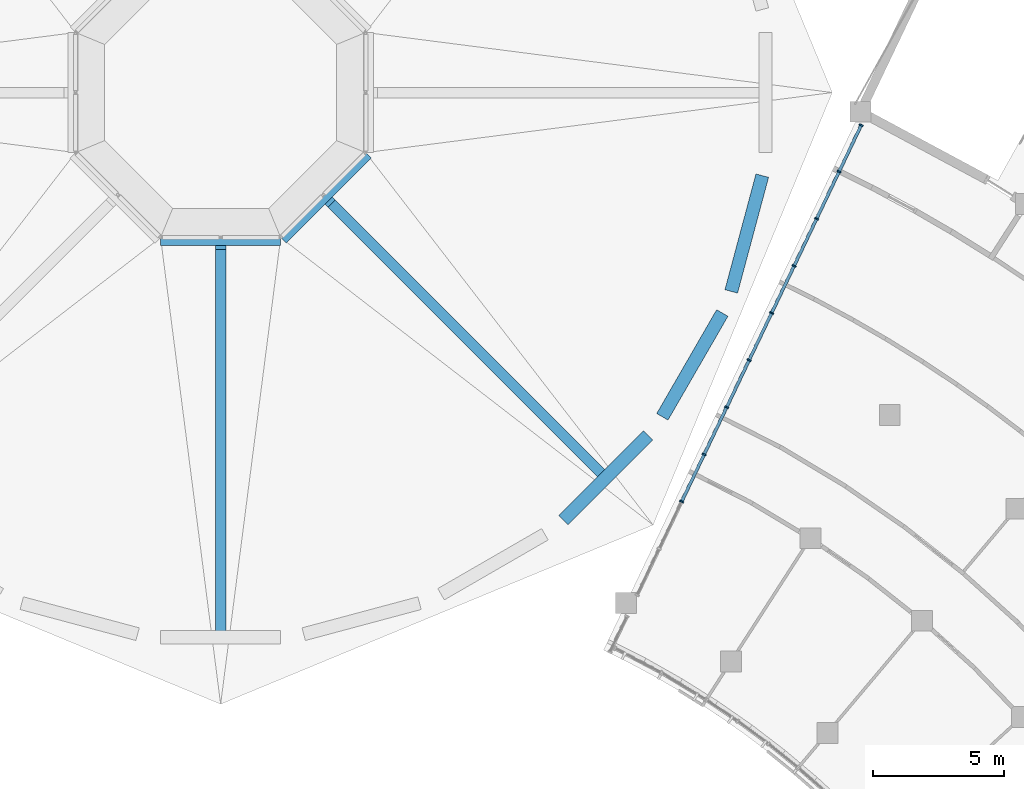
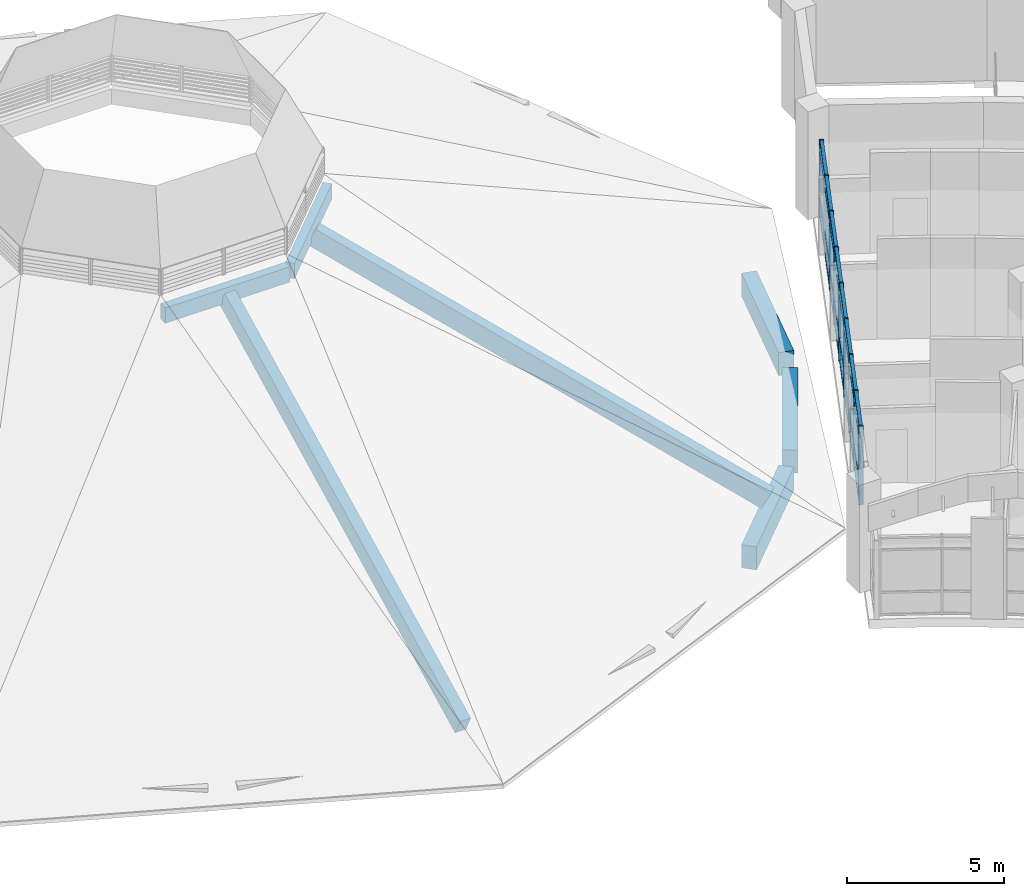
# One storey, part 11 of 137: 45 members, 3 beams, 1 element without a shape of its own.
"""IFC4 building model written with IfcOpenShell, lengths in metres."""

from ifc_helpers import new_model, si_unit, direction, frame, origin, origin_2d, place, context, subcontext, project, spatial, rectangle, extrude, material, material_profile, profile_set, type_object, element, aggregate, save


model = new_model("IFC4")

# Units and contexts
model_context = context("Model", 3, precision=1e-05, world=origin(), true_north=direction((0.0, 1.0)))
body_context = subcontext(model_context, "Body", "Model", "MODEL_VIEW")
ifc_project = project(units=[si_unit("LENGTHUNIT", "METRE"), si_unit("AREAUNIT", "SQUARE_METRE"), si_unit("VOLUMEUNIT", "CUBIC_METRE"), si_unit("PLANEANGLEUNIT", "RADIAN"), si_unit("MASSUNIT", "GRAM", prefix="KILO")], contexts=[model_context])

# Site, building, storey
site_placement = place(None, origin())
site = spatial("IfcSite", under=ifc_project, at=site_placement, CompositionType="ELEMENT")
building_placement = place(site_placement, origin())
building = spatial("IfcBuilding", under=site, at=building_placement, Name="Bougainvillea Quay General Hospital", CompositionType="ELEMENT")
storey_placement = place(building_placement, frame((0.0, 0.0, 16.800048828125)))
storey = spatial("IfcBuildingStorey", under=building, at=storey_placement, Name="L03", CompositionType="ELEMENT", Elevation=16.800048828125)

# Curtain wall, members
ifc_material_1 = material(Name="Aluminium curtain wall system, powder-coated glazed", Category="aluminium")
curtain_wall_type = type_object("IfcCurtainWallType", Name="Unitised curtain wall CW-1997", PredefinedType="NOTDEFINED", material=ifc_material_1)
curtain_wall_placement = place(storey_placement, origin())
curtain_wall = element("IfcCurtainWall", 1, at=curtain_wall_placement, inside=storey, type_object=curtain_wall_type, Name="CW-AE 02", PredefinedType="NOTDEFINED")
ifc_material_2 = material(Name="Aluminium mullion, powder-coated charcoal", Category="aluminium")
ifc_material_profile_1 = material_profile(ifc_material_2, rectangle(XDim=0.159912109375, YDim=0.06005859375, at=origin_2d()))
ifc_profile_set_1 = profile_set([ifc_material_profile_1], Name="Aluminium mullion, powder-coated charcoal")
member_type_1 = type_object("IfcMemberType", Name="Curtain wall mullion 160x60", PredefinedType="MULLION", material=ifc_profile_set_1)
member_1_placement = place(storey_placement, frame((133.68505859375, 72.753173828125, 0.0), z_axis=(0.0, 0.0, 1.0), x_axis=(0.902578440897, -0.430525444112, 0.0)))
member_1 = element("IfcMember", 2, at=member_1_placement, type_object=member_type_1, Name="CW-AE mullion 1", PredefinedType="MULLION", context=body_context, shape_type="SweptSolid", body=[
    extrude(rectangle(XDim=0.159912109375, YDim=0.06005859375, at=origin_2d()), origin(), (0.0, 0.0, 1.0), 3.050048828125),
])
member_2_placement = place(storey_placement, frame((132.838623046875, 70.978759765625, 0.0), z_axis=(0.0, 0.0, 1.0), x_axis=(0.902578440897, -0.430525444112, 0.0)))
member_2 = element("IfcMember", 3, at=member_2_placement, type_object=member_type_1, Name="CW-AE mullion 2", PredefinedType="MULLION", context=body_context, shape_type="SweptSolid", body=[
    extrude(rectangle(XDim=0.159912109375, YDim=0.06005859375, at=origin_2d()), origin(), (0.0, 0.0, 1.0), 3.050048828125),
])
member_3_placement = place(storey_placement, frame((131.979248046875, 69.177001953125, 0.0), z_axis=(0.0, 0.0, 1.0), x_axis=(0.902578440897, -0.430525444112, 0.0)))
member_3 = element("IfcMember", 4, at=member_3_placement, type_object=member_type_1, Name="CW-AE mullion 3", PredefinedType="MULLION", context=body_context, shape_type="SweptSolid", body=[
    extrude(rectangle(XDim=0.159912109375, YDim=0.06005859375, at=origin_2d()), origin(), (0.0, 0.0, 1.0), 3.050048828125),
])
member_4_placement = place(storey_placement, frame((131.119873046875, 67.37548828125, 0.0), z_axis=(0.0, 0.0, 1.0), x_axis=(0.902578440897, -0.430525444112, 0.0)))
member_4 = element("IfcMember", 5, at=member_4_placement, type_object=member_type_1, Name="CW-AE mullion 4", PredefinedType="MULLION", context=body_context, shape_type="SweptSolid", body=[
    extrude(rectangle(XDim=0.159912109375, YDim=0.06005859375, at=origin_2d()), origin(), (0.0, 0.0, 1.0), 3.050048828125),
])
member_5_placement = place(storey_placement, frame((130.260498046875, 65.573974609375, 0.0), z_axis=(0.0, 0.0, 1.0), x_axis=(0.902578440897, -0.430525444112, 0.0)))
member_5 = element("IfcMember", 6, at=member_5_placement, type_object=member_type_1, Name="CW-AE mullion 5", PredefinedType="MULLION", context=body_context, shape_type="SweptSolid", body=[
    extrude(rectangle(XDim=0.159912109375, YDim=0.06005859375, at=origin_2d()), origin(), (0.0, 0.0, 1.0), 3.050048828125),
])
member_6_placement = place(storey_placement, frame((129.401123046875, 63.7724609375, 0.0), z_axis=(0.0, 0.0, 1.0), x_axis=(0.902578440897, -0.430525444112, 0.0)))
member_6 = element("IfcMember", 7, at=member_6_placement, type_object=member_type_1, Name="CW-AE mullion 6", PredefinedType="MULLION", context=body_context, shape_type="SweptSolid", body=[
    extrude(rectangle(XDim=0.159912109375, YDim=0.06005859375, at=origin_2d()), origin(), (0.0, 0.0, 1.0), 3.050048828125),
])
member_7_placement = place(storey_placement, frame((128.541748046875, 61.970703125, 0.0), z_axis=(0.0, 0.0, 1.0), x_axis=(0.902578440897, -0.430525444112, 0.0)))
member_7 = element("IfcMember", 8, at=member_7_placement, type_object=member_type_1, Name="CW-AE mullion 7", PredefinedType="MULLION", context=body_context, shape_type="SweptSolid", body=[
    extrude(rectangle(XDim=0.159912109375, YDim=0.06005859375, at=origin_2d()), origin(), (0.0, 0.0, 1.0), 3.050048828125),
])
member_8_placement = place(storey_placement, frame((127.682373046875, 60.169189453125, 0.0), z_axis=(0.0, 0.0, 1.0), x_axis=(0.902578440897, -0.430525444112, 0.0)))
member_8 = element("IfcMember", 9, at=member_8_placement, type_object=member_type_1, Name="CW-AE mullion 8", PredefinedType="MULLION", context=body_context, shape_type="SweptSolid", body=[
    extrude(rectangle(XDim=0.159912109375, YDim=0.06005859375, at=origin_2d()), origin(), (0.0, 0.0, 1.0), 3.050048828125),
])
member_9_placement = place(storey_placement, frame((126.8232421875, 58.36767578125, 0.0), z_axis=(0.0, 0.0, 1.0), x_axis=(0.902578440897, -0.430525444112, 0.0)))
member_9 = element("IfcMember", 10, at=member_9_placement, type_object=member_type_1, Name="CW-AE mullion 9", PredefinedType="MULLION", context=body_context, shape_type="SweptSolid", body=[
    extrude(rectangle(XDim=0.159912109375, YDim=0.06005859375, at=origin_2d()), origin(), (0.0, 0.0, 1.0), 3.050048828125),
])
ifc_material_3 = material(Name="Aluminium transom, powder-coated charcoal", Category="aluminium")
ifc_material_profile_2 = material_profile(ifc_material_3, rectangle(XDim=0.1201171875, YDim=0.06005859375, at=origin_2d()))
ifc_profile_set_2 = profile_set([ifc_material_profile_2], Name="Aluminium transom, powder-coated charcoal")
member_type_2 = type_object("IfcMemberType", Name="Curtain wall transom 120x60", PredefinedType="USERDEFINED", material=ifc_profile_set_2)
member_10_placement = place(storey_placement, frame((133.672119140625, 72.72607421875, 0.030029296875), z_axis=(-0.430535139878, -0.902573816001, 0.0), x_axis=(0.902573816001, -0.430535139878, 0.0)))
member_10 = element("IfcMember", 11, at=member_10_placement, type_object=member_type_2, Name="CW-AE transom 1.1", ObjectType="TRANSOM", PredefinedType="USERDEFINED", context=body_context, shape_type="SweptSolid", body=[
    extrude(rectangle(XDim=0.1201171875, YDim=0.06005859375, at=origin_2d()), origin(), (0.0, 0.0, 1.0), 1.906005859375),
])
member_11_placement = place(storey_placement, frame((133.672119140625, 72.72607421875, 0.89990234375), z_axis=(-0.430535139878, -0.902573816001, 0.0), x_axis=(0.902573816001, -0.430535139878, 0.0)))
member_11 = element("IfcMember", 12, at=member_11_placement, type_object=member_type_2, Name="CW-AE transom 1.2", ObjectType="TRANSOM", PredefinedType="USERDEFINED", context=body_context, shape_type="SweptSolid", body=[
    extrude(rectangle(XDim=0.1201171875, YDim=0.06005859375, at=origin_2d()), origin(), (0.0, 0.0, 1.0), 1.906005859375),
])
member_12_placement = place(storey_placement, frame((133.672119140625, 72.72607421875, 2.550048828125), z_axis=(-0.430535139878, -0.902573816001, 0.0), x_axis=(0.902573816001, -0.430535139878, 0.0)))
member_12 = element("IfcMember", 13, at=member_12_placement, type_object=member_type_2, Name="CW-AE transom 1.3", ObjectType="TRANSOM", PredefinedType="USERDEFINED", context=body_context, shape_type="SweptSolid", body=[
    extrude(rectangle(XDim=0.1201171875, YDim=0.06005859375, at=origin_2d()), origin(), (0.0, 0.0, 1.0), 1.906005859375),
])
member_13_placement = place(storey_placement, frame((133.672119140625, 72.72607421875, 3.02001953125), z_axis=(-0.430535139878, -0.902573816001, 0.0), x_axis=(0.902573816001, -0.430535139878, 0.0)))
member_13 = element("IfcMember", 14, at=member_13_placement, type_object=member_type_2, Name="CW-AE transom 1.4", ObjectType="TRANSOM", PredefinedType="USERDEFINED", context=body_context, shape_type="SweptSolid", body=[
    extrude(rectangle(XDim=0.1201171875, YDim=0.06005859375, at=origin_2d()), origin(), (0.0, 0.0, 1.0), 1.906005859375),
])
member_14_placement = place(storey_placement, frame((132.82568359375, 70.95166015625, 0.030029296875), z_axis=(-0.430491490236, -0.902594635944, 0.0), x_axis=(0.902594635944, -0.430491490236, 0.0)))
member_14 = element("IfcMember", 15, at=member_14_placement, type_object=member_type_2, Name="CW-AE transom 2.1", ObjectType="TRANSOM", PredefinedType="USERDEFINED", context=body_context, shape_type="SweptSolid", body=[
    extrude(rectangle(XDim=0.1201171875, YDim=0.06005859375, at=origin_2d()), origin(), (0.0, 0.0, 1.0), 1.93603515625),
])
member_15_placement = place(storey_placement, frame((132.82568359375, 70.95166015625, 0.89990234375), z_axis=(-0.430491490236, -0.902594635944, 0.0), x_axis=(0.902594635944, -0.430491490236, 0.0)))
member_15 = element("IfcMember", 16, at=member_15_placement, type_object=member_type_2, Name="CW-AE transom 2.2", ObjectType="TRANSOM", PredefinedType="USERDEFINED", context=body_context, shape_type="SweptSolid", body=[
    extrude(rectangle(XDim=0.1201171875, YDim=0.06005859375, at=origin_2d()), origin(), (0.0, 0.0, 1.0), 1.93603515625),
])
member_16_placement = place(storey_placement, frame((132.82568359375, 70.95166015625, 2.550048828125), z_axis=(-0.430491490236, -0.902594635944, 0.0), x_axis=(0.902594635944, -0.430491490236, 0.0)))
member_16 = element("IfcMember", 17, at=member_16_placement, type_object=member_type_2, Name="CW-AE transom 2.3", ObjectType="TRANSOM", PredefinedType="USERDEFINED", context=body_context, shape_type="SweptSolid", body=[
    extrude(rectangle(XDim=0.1201171875, YDim=0.06005859375, at=origin_2d()), origin(), (0.0, 0.0, 1.0), 1.93603515625),
])
member_17_placement = place(storey_placement, frame((132.82568359375, 70.95166015625, 3.02001953125), z_axis=(-0.430491490236, -0.902594635944, 0.0), x_axis=(0.902594635944, -0.430491490236, 0.0)))
member_17 = element("IfcMember", 18, at=member_17_placement, type_object=member_type_2, Name="CW-AE transom 2.4", ObjectType="TRANSOM", PredefinedType="USERDEFINED", context=body_context, shape_type="SweptSolid", body=[
    extrude(rectangle(XDim=0.1201171875, YDim=0.06005859375, at=origin_2d()), origin(), (0.0, 0.0, 1.0), 1.93603515625),
])
member_18_placement = place(storey_placement, frame((131.96630859375, 69.14990234375, 0.030029296875), z_axis=(-0.430540490925, -0.902571263488, 0.0), x_axis=(0.902571263488, -0.430540490925, 0.0)))
member_18 = element("IfcMember", 19, at=member_18_placement, type_object=member_type_2, Name="CW-AE transom 3.1", ObjectType="TRANSOM", PredefinedType="USERDEFINED", context=body_context, shape_type="SweptSolid", body=[
    extrude(rectangle(XDim=0.1201171875, YDim=0.06005859375, at=origin_2d()), origin(), (0.0, 0.0, 1.0), 1.93603515625),
])
member_19_placement = place(storey_placement, frame((131.96630859375, 69.14990234375, 0.89990234375), z_axis=(-0.430540490925, -0.902571263488, 0.0), x_axis=(0.902571263488, -0.430540490925, 0.0)))
member_19 = element("IfcMember", 20, at=member_19_placement, type_object=member_type_2, Name="CW-AE transom 3.2", ObjectType="TRANSOM", PredefinedType="USERDEFINED", context=body_context, shape_type="SweptSolid", body=[
    extrude(rectangle(XDim=0.1201171875, YDim=0.06005859375, at=origin_2d()), origin(), (0.0, 0.0, 1.0), 1.93603515625),
])
member_20_placement = place(storey_placement, frame((131.96630859375, 69.14990234375, 2.550048828125), z_axis=(-0.430540490925, -0.902571263488, 0.0), x_axis=(0.902571263488, -0.430540490925, 0.0)))
member_20 = element("IfcMember", 21, at=member_20_placement, type_object=member_type_2, Name="CW-AE transom 3.3", ObjectType="TRANSOM", PredefinedType="USERDEFINED", context=body_context, shape_type="SweptSolid", body=[
    extrude(rectangle(XDim=0.1201171875, YDim=0.06005859375, at=origin_2d()), origin(), (0.0, 0.0, 1.0), 1.93603515625),
])
member_21_placement = place(storey_placement, frame((131.96630859375, 69.14990234375, 3.02001953125), z_axis=(-0.430540490925, -0.902571263488, 0.0), x_axis=(0.902571263488, -0.430540490925, 0.0)))
member_21 = element("IfcMember", 22, at=member_21_placement, type_object=member_type_2, Name="CW-AE transom 3.4", ObjectType="TRANSOM", PredefinedType="USERDEFINED", context=body_context, shape_type="SweptSolid", body=[
    extrude(rectangle(XDim=0.1201171875, YDim=0.06005859375, at=origin_2d()), origin(), (0.0, 0.0, 1.0), 1.93603515625),
])
member_22_placement = place(storey_placement, frame((131.10693359375, 67.348388671875, 0.030029296875), z_axis=(-0.430540490925, -0.902571263488, 0.0), x_axis=(0.902571263488, -0.430540490925, 0.0)))
member_22 = element("IfcMember", 23, at=member_22_placement, type_object=member_type_2, Name="CW-AE transom 4.1", ObjectType="TRANSOM", PredefinedType="USERDEFINED", context=body_context, shape_type="SweptSolid", body=[
    extrude(rectangle(XDim=0.1201171875, YDim=0.06005859375, at=origin_2d()), origin(), (0.0, 0.0, 1.0), 1.93603515625),
])
member_23_placement = place(storey_placement, frame((131.10693359375, 67.348388671875, 0.89990234375), z_axis=(-0.430540490925, -0.902571263488, 0.0), x_axis=(0.902571263488, -0.430540490925, 0.0)))
member_23 = element("IfcMember", 24, at=member_23_placement, type_object=member_type_2, Name="CW-AE transom 4.2", ObjectType="TRANSOM", PredefinedType="USERDEFINED", context=body_context, shape_type="SweptSolid", body=[
    extrude(rectangle(XDim=0.1201171875, YDim=0.06005859375, at=origin_2d()), origin(), (0.0, 0.0, 1.0), 1.93603515625),
])
member_24_placement = place(storey_placement, frame((131.10693359375, 67.348388671875, 2.550048828125), z_axis=(-0.430540490925, -0.902571263488, 0.0), x_axis=(0.902571263488, -0.430540490925, 0.0)))
member_24 = element("IfcMember", 25, at=member_24_placement, type_object=member_type_2, Name="CW-AE transom 4.3", ObjectType="TRANSOM", PredefinedType="USERDEFINED", context=body_context, shape_type="SweptSolid", body=[
    extrude(rectangle(XDim=0.1201171875, YDim=0.06005859375, at=origin_2d()), origin(), (0.0, 0.0, 1.0), 1.93603515625),
])
member_25_placement = place(storey_placement, frame((131.10693359375, 67.348388671875, 3.02001953125), z_axis=(-0.430540490925, -0.902571263488, 0.0), x_axis=(0.902571263488, -0.430540490925, 0.0)))
member_25 = element("IfcMember", 26, at=member_25_placement, type_object=member_type_2, Name="CW-AE transom 4.4", ObjectType="TRANSOM", PredefinedType="USERDEFINED", context=body_context, shape_type="SweptSolid", body=[
    extrude(rectangle(XDim=0.1201171875, YDim=0.06005859375, at=origin_2d()), origin(), (0.0, 0.0, 1.0), 1.93603515625),
])
member_26_placement = place(storey_placement, frame((130.24755859375, 65.546875, 0.030029296875), z_axis=(-0.430491490236, -0.902594635944, 0.0), x_axis=(0.902594635944, -0.430491490236, 0.0)))
member_26 = element("IfcMember", 27, at=member_26_placement, type_object=member_type_2, Name="CW-AE transom 5.1", ObjectType="TRANSOM", PredefinedType="USERDEFINED", context=body_context, shape_type="SweptSolid", body=[
    extrude(rectangle(XDim=0.1201171875, YDim=0.06005859375, at=origin_2d()), origin(), (0.0, 0.0, 1.0), 1.93603515625),
])
member_27_placement = place(storey_placement, frame((130.24755859375, 65.546875, 0.89990234375), z_axis=(-0.430491490236, -0.902594635944, 0.0), x_axis=(0.902594635944, -0.430491490236, 0.0)))
member_27 = element("IfcMember", 28, at=member_27_placement, type_object=member_type_2, Name="CW-AE transom 5.2", ObjectType="TRANSOM", PredefinedType="USERDEFINED", context=body_context, shape_type="SweptSolid", body=[
    extrude(rectangle(XDim=0.1201171875, YDim=0.06005859375, at=origin_2d()), origin(), (0.0, 0.0, 1.0), 1.93603515625),
])
member_28_placement = place(storey_placement, frame((130.24755859375, 65.546875, 2.550048828125), z_axis=(-0.430491490236, -0.902594635944, 0.0), x_axis=(0.902594635944, -0.430491490236, 0.0)))
member_28 = element("IfcMember", 29, at=member_28_placement, type_object=member_type_2, Name="CW-AE transom 5.3", ObjectType="TRANSOM", PredefinedType="USERDEFINED", context=body_context, shape_type="SweptSolid", body=[
    extrude(rectangle(XDim=0.1201171875, YDim=0.06005859375, at=origin_2d()), origin(), (0.0, 0.0, 1.0), 1.93603515625),
])
member_29_placement = place(storey_placement, frame((130.24755859375, 65.546875, 3.02001953125), z_axis=(-0.430491490236, -0.902594635944, 0.0), x_axis=(0.902594635944, -0.430491490236, 0.0)))
member_29 = element("IfcMember", 30, at=member_29_placement, type_object=member_type_2, Name="CW-AE transom 5.4", ObjectType="TRANSOM", PredefinedType="USERDEFINED", context=body_context, shape_type="SweptSolid", body=[
    extrude(rectangle(XDim=0.1201171875, YDim=0.06005859375, at=origin_2d()), origin(), (0.0, 0.0, 1.0), 1.93603515625),
])
member_30_placement = place(storey_placement, frame((129.38818359375, 63.745361328125, 0.030029296875), z_axis=(-0.430491490236, -0.902594635944, 0.0), x_axis=(0.902594635944, -0.430491490236, 0.0)))
member_30 = element("IfcMember", 31, at=member_30_placement, type_object=member_type_2, Name="CW-AE transom 6.1", ObjectType="TRANSOM", PredefinedType="USERDEFINED", context=body_context, shape_type="SweptSolid", body=[
    extrude(rectangle(XDim=0.1201171875, YDim=0.06005859375, at=origin_2d()), origin(), (0.0, 0.0, 1.0), 1.93603515625),
])
member_31_placement = place(storey_placement, frame((129.38818359375, 63.745361328125, 0.89990234375), z_axis=(-0.430491490236, -0.902594635944, 0.0), x_axis=(0.902594635944, -0.430491490236, 0.0)))
member_31 = element("IfcMember", 32, at=member_31_placement, type_object=member_type_2, Name="CW-AE transom 6.2", ObjectType="TRANSOM", PredefinedType="USERDEFINED", context=body_context, shape_type="SweptSolid", body=[
    extrude(rectangle(XDim=0.1201171875, YDim=0.06005859375, at=origin_2d()), origin(), (0.0, 0.0, 1.0), 1.93603515625),
])
member_32_placement = place(storey_placement, frame((129.38818359375, 63.745361328125, 2.550048828125), z_axis=(-0.430491490236, -0.902594635944, 0.0), x_axis=(0.902594635944, -0.430491490236, 0.0)))
member_32 = element("IfcMember", 33, at=member_32_placement, type_object=member_type_2, Name="CW-AE transom 6.3", ObjectType="TRANSOM", PredefinedType="USERDEFINED", context=body_context, shape_type="SweptSolid", body=[
    extrude(rectangle(XDim=0.1201171875, YDim=0.06005859375, at=origin_2d()), origin(), (0.0, 0.0, 1.0), 1.93603515625),
])
member_33_placement = place(storey_placement, frame((129.38818359375, 63.745361328125, 3.02001953125), z_axis=(-0.430491490236, -0.902594635944, 0.0), x_axis=(0.902594635944, -0.430491490236, 0.0)))
member_33 = element("IfcMember", 34, at=member_33_placement, type_object=member_type_2, Name="CW-AE transom 6.4", ObjectType="TRANSOM", PredefinedType="USERDEFINED", context=body_context, shape_type="SweptSolid", body=[
    extrude(rectangle(XDim=0.1201171875, YDim=0.06005859375, at=origin_2d()), origin(), (0.0, 0.0, 1.0), 1.93603515625),
])
member_34_placement = place(storey_placement, frame((128.52880859375, 61.943603515625, 0.030029296875), z_axis=(-0.430540490925, -0.902571263488, 0.0), x_axis=(0.902571263488, -0.430540490925, 0.0)))
member_34 = element("IfcMember", 35, at=member_34_placement, type_object=member_type_2, Name="CW-AE transom 7.1", ObjectType="TRANSOM", PredefinedType="USERDEFINED", context=body_context, shape_type="SweptSolid", body=[
    extrude(rectangle(XDim=0.1201171875, YDim=0.06005859375, at=origin_2d()), origin(), (0.0, 0.0, 1.0), 1.93603515625),
])
member_35_placement = place(storey_placement, frame((128.52880859375, 61.943603515625, 0.89990234375), z_axis=(-0.430540490925, -0.902571263488, 0.0), x_axis=(0.902571263488, -0.430540490925, 0.0)))
member_35 = element("IfcMember", 36, at=member_35_placement, type_object=member_type_2, Name="CW-AE transom 7.2", ObjectType="TRANSOM", PredefinedType="USERDEFINED", context=body_context, shape_type="SweptSolid", body=[
    extrude(rectangle(XDim=0.1201171875, YDim=0.06005859375, at=origin_2d()), origin(), (0.0, 0.0, 1.0), 1.93603515625),
])
member_36_placement = place(storey_placement, frame((128.52880859375, 61.943603515625, 2.550048828125), z_axis=(-0.430540490925, -0.902571263488, 0.0), x_axis=(0.902571263488, -0.430540490925, 0.0)))
member_36 = element("IfcMember", 37, at=member_36_placement, type_object=member_type_2, Name="CW-AE transom 7.3", ObjectType="TRANSOM", PredefinedType="USERDEFINED", context=body_context, shape_type="SweptSolid", body=[
    extrude(rectangle(XDim=0.1201171875, YDim=0.06005859375, at=origin_2d()), origin(), (0.0, 0.0, 1.0), 1.93603515625),
])
member_37_placement = place(storey_placement, frame((128.52880859375, 61.943603515625, 3.02001953125), z_axis=(-0.430540490925, -0.902571263488, 0.0), x_axis=(0.902571263488, -0.430540490925, 0.0)))
member_37 = element("IfcMember", 38, at=member_37_placement, type_object=member_type_2, Name="CW-AE transom 7.4", ObjectType="TRANSOM", PredefinedType="USERDEFINED", context=body_context, shape_type="SweptSolid", body=[
    extrude(rectangle(XDim=0.1201171875, YDim=0.06005859375, at=origin_2d()), origin(), (0.0, 0.0, 1.0), 1.93603515625),
])
member_38_placement = place(storey_placement, frame((127.669677734375, 60.14208984375, 0.030029296875), z_axis=(-0.43064321639, -0.902522254671, 0.0), x_axis=(0.902522254671, -0.43064321639, 0.0)))
member_38 = element("IfcMember", 39, at=member_38_placement, type_object=member_type_2, Name="CW-AE transom 8.1", ObjectType="TRANSOM", PredefinedType="USERDEFINED", context=body_context, shape_type="SweptSolid", body=[
    extrude(rectangle(XDim=0.1201171875, YDim=0.06005859375, at=origin_2d()), origin(), (0.0, 0.0, 1.0), 1.93603515625),
])
member_39_placement = place(storey_placement, frame((127.669677734375, 60.14208984375, 0.89990234375), z_axis=(-0.43064321639, -0.902522254671, 0.0), x_axis=(0.902522254671, -0.43064321639, 0.0)))
member_39 = element("IfcMember", 40, at=member_39_placement, type_object=member_type_2, Name="CW-AE transom 8.2", ObjectType="TRANSOM", PredefinedType="USERDEFINED", context=body_context, shape_type="SweptSolid", body=[
    extrude(rectangle(XDim=0.1201171875, YDim=0.06005859375, at=origin_2d()), origin(), (0.0, 0.0, 1.0), 1.93603515625),
])
member_40_placement = place(storey_placement, frame((127.669677734375, 60.14208984375, 2.550048828125), z_axis=(-0.43064321639, -0.902522254671, 0.0), x_axis=(0.902522254671, -0.43064321639, 0.0)))
member_40 = element("IfcMember", 41, at=member_40_placement, type_object=member_type_2, Name="CW-AE transom 8.3", ObjectType="TRANSOM", PredefinedType="USERDEFINED", context=body_context, shape_type="SweptSolid", body=[
    extrude(rectangle(XDim=0.1201171875, YDim=0.06005859375, at=origin_2d()), origin(), (0.0, 0.0, 1.0), 1.93603515625),
])
member_41_placement = place(storey_placement, frame((127.669677734375, 60.14208984375, 3.02001953125), z_axis=(-0.43064321639, -0.902522254671, 0.0), x_axis=(0.902522254671, -0.43064321639, 0.0)))
member_41 = element("IfcMember", 42, at=member_41_placement, type_object=member_type_2, Name="CW-AE transom 8.4", ObjectType="TRANSOM", PredefinedType="USERDEFINED", context=body_context, shape_type="SweptSolid", body=[
    extrude(rectangle(XDim=0.1201171875, YDim=0.06005859375, at=origin_2d()), origin(), (0.0, 0.0, 1.0), 1.93603515625),
])
aggregate(curtain_wall, [member_1, member_2, member_3, member_4, member_5, member_6, member_7, member_8, member_9, member_10, member_11, member_12, member_13, member_14, member_15, member_16, member_17, member_18, member_19, member_20, member_21, member_22, member_23, member_24, member_25, member_26, member_27, member_28, member_29, member_30, member_31, member_32, member_33, member_34, member_35, member_36, member_37, member_38, member_39, member_40, member_41])

# Members
ifc_material_4 = material(Name="Concrete C40", Category="concrete")
ifc_material_profile_3 = material_profile(ifc_material_4, rectangle(XDim=0.300048828125, YDim=0.60009765625, at=origin_2d()))
ifc_profile_set_3 = profile_set([ifc_material_profile_3], Name="Concrete C40")
member_type_3 = type_object("IfcMemberType", Name="RC BEAM 300x600 C40 MEMBER", PredefinedType="MEMBER", material=ifc_profile_set_3)
for number, where, z_axis, x_axis, name in (
    (43, (106.904052734375, 68.306884765625, 8.361572265625), (1.0, 0.0, 0.0), (0.0, 1.0, 0.0), "Beam ROOF-V1-LR-06"),
    (44, (111.60205078125, 68.350830078125, 8.361572265625), (0.707106781187, 0.707106781187, 0.0), (-0.707106781187, 0.707106781187, 0.0), "Beam ROOF-V1-LR-07"),
):
    element("IfcMember", number, at=place(storey_placement, frame(where, z_axis=z_axis, x_axis=x_axis)), inside=storey, type_object=member_type_3, Name=name, PredefinedType="MEMBER", context=body_context, shape_type="SweptSolid", body=[
        extrude(rectangle(XDim=0.300048828125, YDim=0.60009765625, at=origin_2d()), origin(), (0.0, 0.0, 1.0), 4.592041015625),
    ])
ifc_material_profile_4 = material_profile(ifc_material_4, rectangle(XDim=0.39990234375, YDim=0.699951171875, at=origin_2d()))
ifc_profile_set_4 = profile_set([ifc_material_profile_4], Name="Concrete C40")
member_type_4 = type_object("IfcMemberType", Name="RC BEAM 400x700 C40 RAFTER", PredefinedType="RAFTER", material=ifc_profile_set_4)
member_42_placement = place(storey_placement, frame((109.199951171875, 53.179931640625, 0.712646484375), z_axis=(0.0, 0.892794758576, 0.450463671188), x_axis=(-1.0, 0.0, 0.0)))
element("IfcMember", 45, at=member_42_placement, inside=storey, type_object=member_type_4, Name="Roof rib", PredefinedType="RAFTER", context=body_context, shape_type="SweptSolid", body=[
    extrude(rectangle(XDim=0.39990234375, YDim=0.699951171875, at=origin_2d()), origin(), (0.0, 0.0, 1.0), 16.78125),
])
member_43_placement = place(storey_placement, frame((123.921875, 59.278076171875, 0.71240234375), z_axis=(-0.631294073874, 0.631294073874, 0.450483722885), x_axis=(-0.707106781187, -0.707106781187, 0.0)))
element("IfcMember", 46, at=member_43_placement, inside=storey, type_object=member_type_4, Name="Roof rib", PredefinedType="RAFTER", context=body_context, shape_type="SweptSolid", body=[
    extrude(rectangle(XDim=0.39990234375, YDim=0.699951171875, at=origin_2d()), origin(), (0.0, 0.0, 1.0), 16.781005859375),
])

# Beams
ifc_material_profile_5 = material_profile(ifc_material_4, rectangle(XDim=0.5, YDim=0.89990234375, at=origin_2d()))
ifc_profile_set_5 = profile_set([ifc_material_profile_5], Name="Concrete C40")
beam_type = type_object("IfcBeamType", Name="RC BEAM 500x900 C40", PredefinedType="BEAM", material=ifc_profile_set_5)
beam_1_placement = place(storey_placement, frame((122.30224609375, 57.658203125, -0.0517578125), z_axis=(0.707106781187, 0.707106781187, 0.0), x_axis=(-0.707106781187, 0.707106781187, 0.0)))
element("IfcBeam", 47, at=beam_1_placement, inside=storey, type_object=beam_type, Name="Beam ROOF-V1-ER-21", PredefinedType="BEAM", context=body_context, shape_type="SweptSolid", body=[
    extrude(rectangle(XDim=0.5, YDim=0.89990234375, at=origin_2d()), origin(), (0.0, 0.0, 1.0), 4.581298828125),
])
beam_2_placement = place(storey_placement, frame((126.0849609375, 61.605712890625, -0.0517578125), z_axis=(0.499966888589, 0.866044519823, 0.0), x_axis=(-0.866044519823, 0.499966888589, 0.0)))
element("IfcBeam", 48, at=beam_2_placement, inside=storey, type_object=beam_type, Name="Beam ROOF-V1-ER-22", PredefinedType="BEAM", context=body_context, shape_type="SweptSolid", body=[
    extrude(rectangle(XDim=0.5, YDim=0.89990234375, at=origin_2d()), origin(), (0.0, 0.0, 1.0), 4.582275390625),
])
beam_3_placement = place(storey_placement, frame((128.717529296875, 66.398681640625, -0.0517578125), z_axis=(0.258863043334, 0.965914035924, 0.0), x_axis=(-0.965914035924, 0.258863043334, 0.0)))
element("IfcBeam", 49, at=beam_3_placement, inside=storey, type_object=beam_type, Name="Beam ROOF-V1-ER-23", PredefinedType="BEAM", context=body_context, shape_type="SweptSolid", body=[
    extrude(rectangle(XDim=0.5, YDim=0.89990234375, at=origin_2d()), origin(), (0.0, 0.0, 1.0), 4.581787109375),
])

save(model, "model.ifc")
